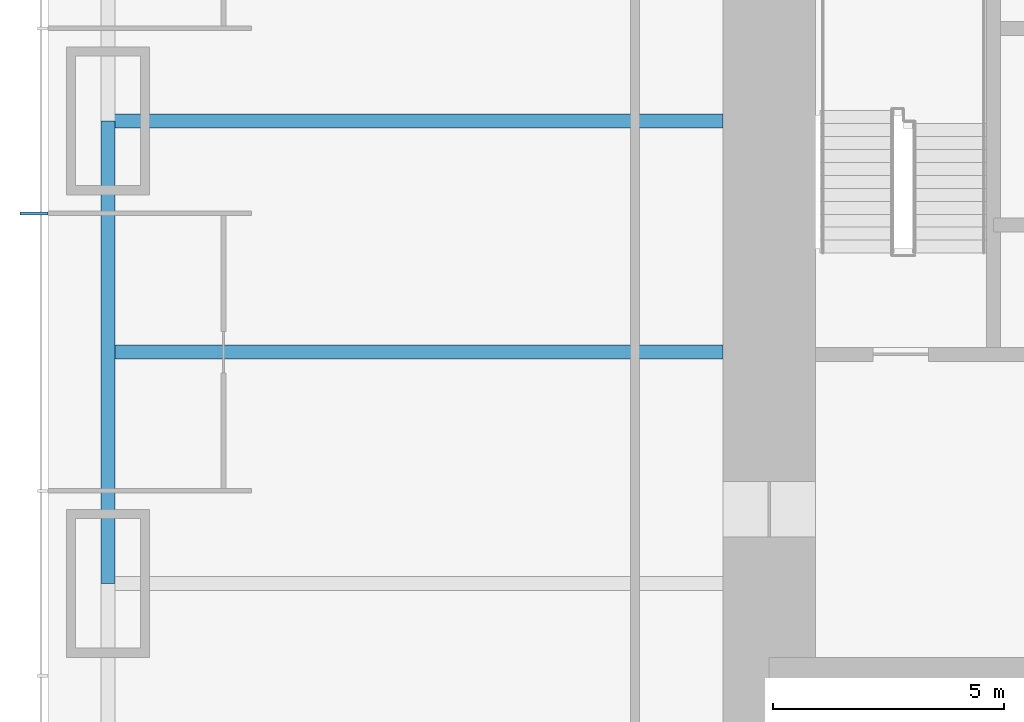
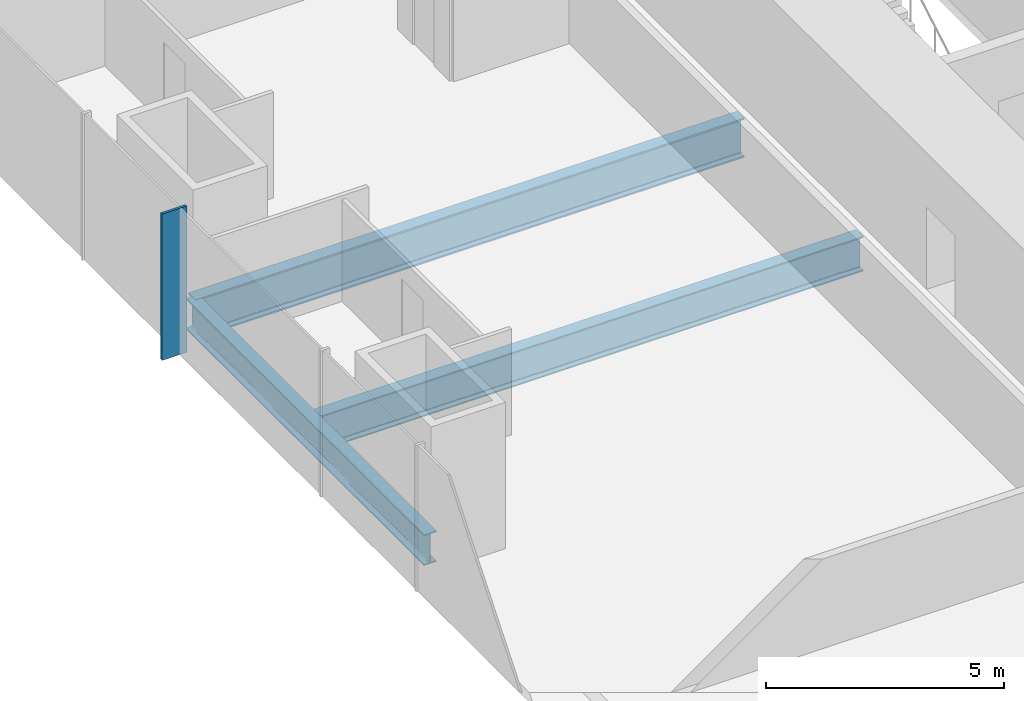
# One storey, part 3 of 16: 3 beams, 1 member, 1 element without a shape of its own.
"""IFC4 building model written with IfcOpenShell, lengths in metres."""

from ifc_helpers import new_model, si_unit, direction, frame, origin, origin_2d, place, context, subcontext, project, spatial, rectangle, i_section, extrude, material, material_profile, profile_set, type_object, element, aggregate, save


model = new_model("IFC4")

# Units and contexts
model_context = context("Model", 3, precision=1e-05, world=origin(), true_north=direction((0.0, 1.0)))
body_context = subcontext(model_context, "Body", "Model", "MODEL_VIEW")
ifc_project = project(units=[si_unit("LENGTHUNIT", "METRE"), si_unit("AREAUNIT", "SQUARE_METRE"), si_unit("VOLUMEUNIT", "CUBIC_METRE"), si_unit("PLANEANGLEUNIT", "RADIAN"), si_unit("MASSUNIT", "GRAM", prefix="KILO")], contexts=[model_context])

# Site, building, storey
site_placement = place(None, origin())
site = spatial("IfcSite", under=ifc_project, at=site_placement, CompositionType="ELEMENT")
building_placement = place(site_placement, origin())
building = spatial("IfcBuilding", under=site, at=building_placement, Name="Khuree Lantern Residences", CompositionType="ELEMENT")
storey_placement = place(building_placement, frame((0.0, 0.0, 81.0)))
storey = spatial("IfcBuildingStorey", under=building, at=storey_placement, Name="L20", CompositionType="ELEMENT", Elevation=81.0)

# Beams
ifc_material_1 = material(Name="Steel S355", Category="steel")
ifc_material_profile_1 = material_profile(ifc_material_1, i_section(OverallWidth=0.300048828125, OverallDepth=0.889892578125, WebThickness=0.01611328125, FlangeThickness=0.030029296875, FilletRadius=0.030029296875, at=origin_2d()), Name="HE 900 A")
ifc_profile_set_1 = profile_set([ifc_material_profile_1], Name="Steel S355")
beam_type_1 = type_object("IfcBeamType", Name="B-14 SECONDARY BEAM HE 900 A", PredefinedType="BEAM", material=ifc_profile_set_1)
beam_1_placement = place(storey_placement, frame((-29.800048828125, -5.0, -0.695068359375), z_axis=(1.0, 0.0, 0.0), x_axis=(0.0, 1.0, 0.0)))
element("IfcBeam", 1, at=beam_1_placement, inside=storey, type_object=beam_type_1, Name="Secondary beam W3", PredefinedType="BEAM", context=body_context, shape_type="SweptSolid", body=[
    extrude(i_section(OverallWidth=0.300048828125, OverallDepth=0.889892578125, WebThickness=0.01611328125, FlangeThickness=0.030029296875, FilletRadius=0.030029296875, at=origin_2d()), origin(), (0.0, 0.0, 1.0), 13.300048828125),
])
ifc_material_profile_2 = material_profile(ifc_material_1, i_section(OverallWidth=0.300048828125, OverallDepth=0.7900390625, WebThickness=0.014892578125, FlangeThickness=0.028076171875, FilletRadius=0.030029296875, at=origin_2d()), Name="HE 800 A")
ifc_profile_set_2 = profile_set([ifc_material_profile_2], Name="Steel S355")
beam_type_2 = type_object("IfcBeamType", Name="E-14 SPANDREL BEAM HE 800 A", PredefinedType="SPANDREL", material=ifc_profile_set_2)
beam_2_placement = place(storey_placement, frame((-29.800048828125, -10.0, -0.64501953125), z_axis=(0.0, 1.0, 0.0), x_axis=(-1.0, 0.0, 0.0)))
element("IfcBeam", 2, at=beam_2_placement, inside=storey, type_object=beam_type_2, Name="Spandrel beam W3", PredefinedType="SPANDREL", context=body_context, shape_type="SweptSolid", body=[
    extrude(i_section(OverallWidth=0.300048828125, OverallDepth=0.7900390625, WebThickness=0.014892578125, FlangeThickness=0.028076171875, FilletRadius=0.030029296875, at=origin_2d()), origin(), (0.0, 0.0, 1.0), 10.0),
])

# Curtain wall, member
ifc_material_2 = material(Name="Bronze anodised aluminium", Category="aluminium")
curtain_wall_type = type_object("IfcCurtainWallType", Name="CW-T1 TOWER FACE CURTAIN WALL", PredefinedType="USERDEFINED", material=ifc_material_2)
curtain_wall_placement = place(storey_placement, origin())
curtain_wall = element("IfcCurtainWall", 3, at=curtain_wall_placement, inside=storey, type_object=curtain_wall_type, Name="L20 WEST FACE CURTAIN WALL", ObjectType="Stick-built curtain wall", PredefinedType="USERDEFINED")
ifc_material_profile_3 = material_profile(ifc_material_2, rectangle(XDim=0.06494140625, YDim=0.60009765625, at=origin_2d()), Name="F1 65X600")
ifc_profile_set_3 = profile_set([ifc_material_profile_3], Name="Bronze anodised aluminium")
member_type = type_object("IfcMemberType", Name="F1 BRONZE FIN MULLION TOWER 65X600", PredefinedType="MULLION", material=ifc_profile_set_3)
member_placement = place(storey_placement, frame((-31.39990234375, -2.0, 0.0), z_axis=(0.0, 0.0, 1.0), x_axis=(0.0, -1.0, 0.0)))
member = element("IfcMember", 4, at=member_placement, type_object=member_type, Name="L20 WEST FACE FIN MULLION 38", PredefinedType="MULLION", context=body_context, shape_type="SweptSolid", body=[
    extrude(rectangle(XDim=0.06494140625, YDim=0.60009765625, at=origin_2d()), origin(), (0.0, 0.0, 1.0), 3.75),
])
aggregate(curtain_wall, [member])

# Beam
ifc_material_profile_4 = material_profile(ifc_material_1, i_section(OverallWidth=0.302001953125, OverallDepth=1.008056640625, WebThickness=0.02099609375, FlangeThickness=0.0400390625, FilletRadius=0.030029296875, at=origin_2d()), Name="HE 1000 M")
ifc_profile_set_4 = profile_set([ifc_material_profile_4], Name="Steel S355")
beam_type_3 = type_object("IfcBeamType", Name="G-14 GIRDER HE 1000 M", PredefinedType="BEAM", material=ifc_profile_set_4)
beam_3_placement = place(storey_placement, frame((-29.800048828125, 0.0, -0.75390625), z_axis=(1.0, 0.0, 0.0), x_axis=(0.0, 1.0, 0.0)))
element("IfcBeam", 5, at=beam_3_placement, inside=storey, type_object=beam_type_3, Name="Girder W3", PredefinedType="BEAM", context=body_context, shape_type="SweptSolid", body=[
    extrude(i_section(OverallWidth=0.302001953125, OverallDepth=1.008056640625, WebThickness=0.02099609375, FlangeThickness=0.0400390625, FilletRadius=0.030029296875, at=origin_2d()), origin(), (0.0, 0.0, 1.0), 13.300048828125),
])

save(model, "model.ifc")
